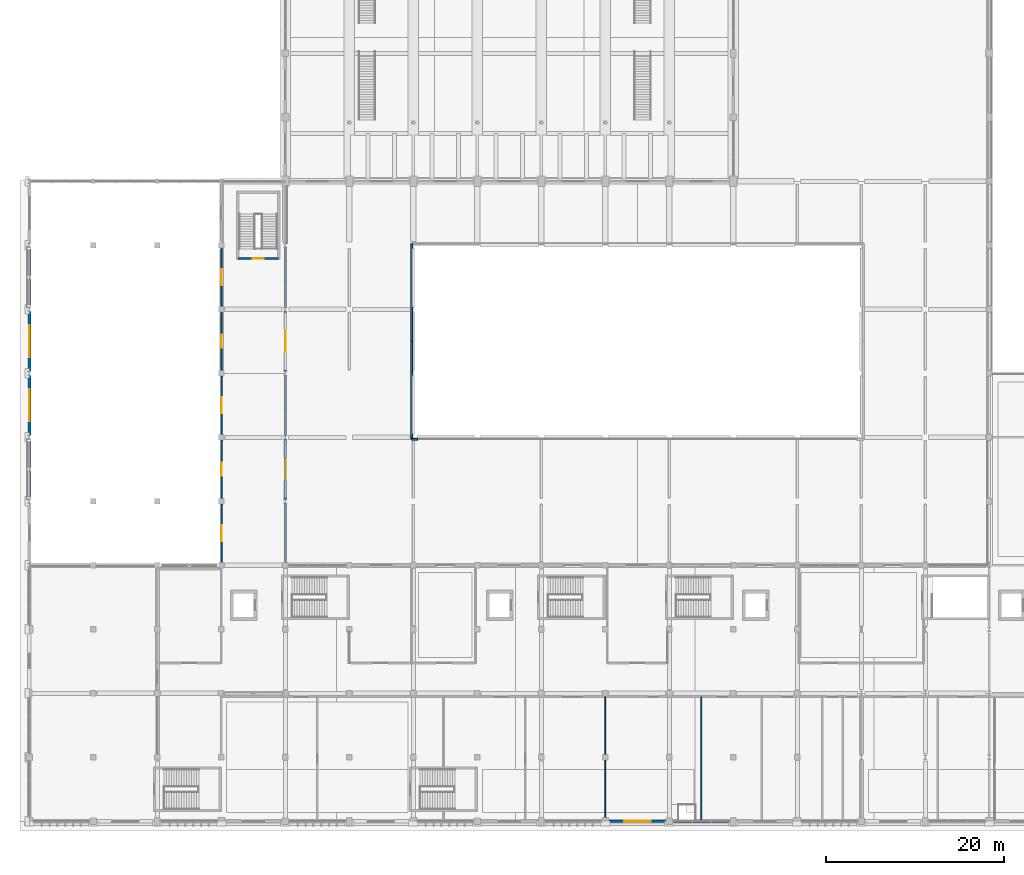
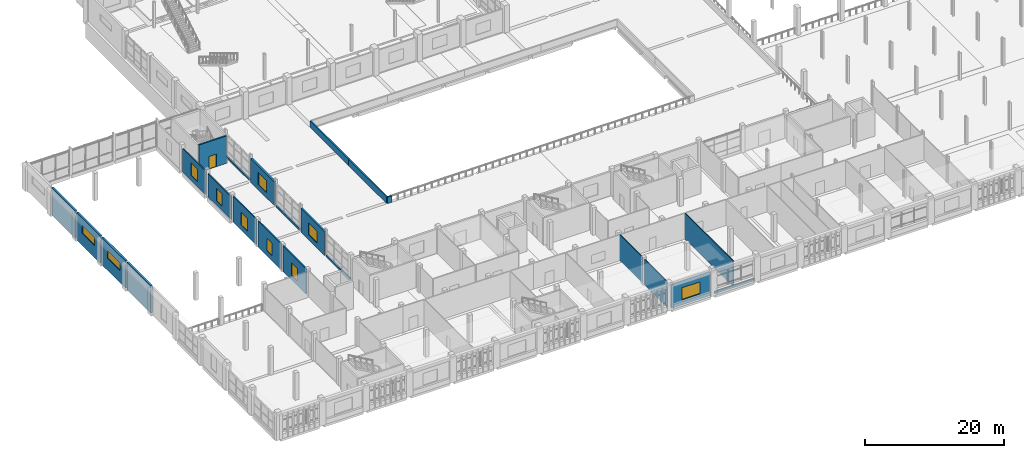
# One storey, part 58 of 82: 23 walls, 10 windows, 1 door, 11 openings.
"""IFC4 building model written with IfcOpenShell, lengths in metres."""

from ifc_helpers import new_model, si_unit, direction, frame, frame_2d, origin, place, context, subcontext, project, spatial, rectangle, extrude, material, layer, layer_set, type_object, element, fill, save


model = new_model("IFC4")

# Units and contexts
model_context = context("Model", 3, precision=1e-05, world=origin(), true_north=direction((0.0, 1.0)))
body_context = subcontext(model_context, "Body", "Model", "MODEL_VIEW")
ifc_project = project(units=[si_unit("LENGTHUNIT", "METRE"), si_unit("AREAUNIT", "SQUARE_METRE"), si_unit("VOLUMEUNIT", "CUBIC_METRE"), si_unit("PLANEANGLEUNIT", "RADIAN"), si_unit("MASSUNIT", "GRAM", prefix="KILO")], contexts=[model_context])

# Site, building, storey
site_placement = place(None, origin())
site = spatial("IfcSite", under=ifc_project, at=site_placement, CompositionType="ELEMENT")
building_placement = place(site_placement, origin())
building = spatial("IfcBuilding", under=site, at=building_placement, Name="Sardonyx Promenade Sports Hall", CompositionType="ELEMENT")
storey_placement = place(building_placement, frame((0.0, 0.0, 11.199951171875)))
storey = spatial("IfcBuildingStorey", under=building, at=storey_placement, Name="L02", CompositionType="ELEMENT", Elevation=11.199951171875)

# Wall
ifc_material_1 = material(Name="Concrete C40/50", Category="concrete")
ifc_layer_1 = layer(ifc_material_1, 0.320068359375)
ifc_layer_set_1 = layer_set([ifc_layer_1], Name="Wall_Ext_Court_320")
wall_type_1 = type_object("IfcWallType", Name="Wall_Ext_Court_320", PredefinedType="SOLIDWALL", material=ifc_layer_set_1)
wall_1_placement = place(storey_placement, frame((0.0, 36.205078125, 0.0), z_axis=(0.0, 0.0, 1.0), x_axis=(0.0, 1.0, 0.0)))
element("IfcWall", 1, at=wall_1_placement, inside=storey, type_object=wall_type_1, Name="Exterior wall EW01 L02 #153", PredefinedType="SOLIDWALL", context=body_context, shape_type="SweptSolid", body=[
    extrude(rectangle(XDim=6.7900390625, YDim=0.320068359375, at=frame_2d((3.39501953125, 0.0))), origin(), (0.0, 0.0, 1.0), 4.800048828125),
])

# Wall, opening, window
wall_2_placement = place(storey_placement, frame((0.0, 43.405029296875, 0.0), z_axis=(0.0, 0.0, 1.0), x_axis=(0.0, 1.0, 0.0)))
wall_2 = element("IfcWall", 2, at=wall_2_placement, inside=storey, type_object=wall_type_1, Name="Exterior wall EW01 L02 #154", PredefinedType="SOLIDWALL", context=body_context, shape_type="SweptSolid", body=[
    extrude(rectangle(XDim=6.7900390625, YDim=0.320068359375, at=frame_2d((3.39501953125, 0.0))), origin(), (0.0, 0.0, 1.0), 4.800048828125),
])
opening_1_placement = place(wall_2_placement, frame((1.594970703125, 0.0, 2.10009765625)))
opening_1 = element("IfcOpeningElement", 3, at=opening_1_placement, cuts=wall_2, Name="Opening W17", PredefinedType="OPENING", context=body_context, shape_type="SweptSolid", body=[
    extrude(rectangle(XDim=3.60009765625, YDim=1.35009765625, at=frame_2d((1.800048828125, 0.675048828125))), frame((0.0, 0.17, 0.0), z_axis=(0.0, -1.0, 0.0), x_axis=(1.0, 0.0, 0.0)), (0.0, 0.0, 1.0), 0.34),
])
ifc_material_2 = material(Name="Double-glazed solar low-E aluminium window", Category="aluminium")
window_type_1 = type_object("IfcWindowType", Name="Win_Clerestory_360x135", PartitioningType="DOUBLE_PANEL_VERTICAL", PredefinedType="WINDOW", material=ifc_material_2)
window_1_placement = place(opening_1_placement, origin())
window_1 = element("IfcWindow", 4, at=window_1_placement, inside=storey, type_object=window_type_1, Name="Facade window W17 L02 #66", OverallHeight=1.35009765625, OverallWidth=3.60009765625, PartitioningType="SINGLE_PANEL", PredefinedType="WINDOW", context=body_context, shape_type="SweptSolid", body=[
    extrude(rectangle(XDim=3.60009765625, YDim=1.35009765625, at=frame_2d((1.800048828125, 0.675048828125))), frame((0.0, 0.030029296875, 0.0), z_axis=(0.0, -1.0, 0.0), x_axis=(1.0, 0.0, 0.0)), (0.0, 0.0, 1.0), 0.06005859375),
])
fill(opening_1, window_1)

wall_3_placement = place(storey_placement, frame((0.0, 50.60498046875, 0.0), z_axis=(0.0, 0.0, 1.0), x_axis=(0.0, 1.0, 0.0)))
wall_3 = element("IfcWall", 5, at=wall_3_placement, inside=storey, type_object=wall_type_1, Name="Exterior wall EW01 L02 #155", PredefinedType="SOLIDWALL", context=body_context, shape_type="SweptSolid", body=[
    extrude(rectangle(XDim=6.7900390625, YDim=0.320068359375, at=frame_2d((3.39501953125, 0.0))), origin(), (0.0, 0.0, 1.0), 4.800048828125),
])
opening_2_placement = place(wall_3_placement, frame((1.594970703125, 0.0, 2.10009765625)))
opening_2 = element("IfcOpeningElement", 6, at=opening_2_placement, cuts=wall_3, Name="Opening W17", PredefinedType="OPENING", context=body_context, shape_type="SweptSolid", body=[
    extrude(rectangle(XDim=3.60009765625, YDim=1.35009765625, at=frame_2d((1.800048828125, 0.675048828125))), frame((0.0, 0.17, 0.0), z_axis=(0.0, -1.0, 0.0), x_axis=(1.0, 0.0, 0.0)), (0.0, 0.0, 1.0), 0.34),
])
window_2_placement = place(opening_2_placement, origin())
window_2 = element("IfcWindow", 7, at=window_2_placement, inside=storey, type_object=window_type_1, Name="Facade window W17 L02 #67", OverallHeight=1.35009765625, OverallWidth=3.60009765625, PartitioningType="SINGLE_PANEL", PredefinedType="WINDOW", context=body_context, shape_type="SweptSolid", body=[
    extrude(rectangle(XDim=3.60009765625, YDim=1.35009765625, at=frame_2d((1.800048828125, 0.675048828125))), frame((0.0, 0.030029296875, 0.0), z_axis=(0.0, -1.0, 0.0), x_axis=(1.0, 0.0, 0.0)), (0.0, 0.0, 1.0), 0.06005859375),
])
fill(opening_2, window_2)

# Walls
wall_4_placement = place(storey_placement, frame((0.0, 57.804931640625, 0.0), z_axis=(0.0, 0.0, 1.0), x_axis=(0.0, 1.0, 0.0)))
element("IfcWall", 8, at=wall_4_placement, inside=storey, type_object=wall_type_1, Name="Exterior wall EW01 L02 #156", PredefinedType="SOLIDWALL", context=body_context, shape_type="SweptSolid", body=[
    extrude(rectangle(XDim=6.7900390625, YDim=0.320068359375, at=frame_2d((3.39501953125, 0.0))), origin(), (0.0, 0.0, 1.0), 4.800048828125),
])
ifc_material_3 = material(Name="Masonry CMU 15 MPa", Category="masonry")
ifc_layer_2 = layer(ifc_material_3, 0.239990234375)
ifc_layer_set_2 = layer_set([ifc_layer_2], Name="Wall_Ext_Spandrel_240")
wall_type_2 = type_object("IfcWallType", Name="Wall_Ext_Spandrel_240", PredefinedType="SOLIDWALL", material=ifc_layer_set_2)
wall_5_placement = place(storey_placement, frame((78.9150390625, 0.0, 0.0), z_axis=(0.0, 0.0, 1.0), x_axis=(-1.0, 0.0, 0.0)))
element("IfcWall", 9, at=wall_5_placement, inside=storey, type_object=wall_type_2, Name="Curtain-wall sill spandrel L02 #66", PredefinedType="SOLIDWALL", context=body_context, shape_type="SweptSolid", body=[
    extrude(rectangle(XDim=6.580078125, YDim=0.239990234375, at=frame_2d((3.2900390625, 0.0))), origin(), (0.0, 0.0, 1.0), 0.35009765625),
])
for number, where, z_axis, x_axis, name in (
    (10, (28.800048828125, 64.594970703125, 0.0), (0.0, 0.0, 1.0), (0.0, -1.0, 0.0), "Curtain-wall sill spandrel L02 #228"),
    (11, (28.800048828125, 50.195068359375, 0.0), (0.0, 0.0, 1.0), (0.0, -1.0, 0.0), "Curtain-wall sill spandrel L02 #230"),
):
    element("IfcWall", number, at=place(storey_placement, frame(where, z_axis=z_axis, x_axis=x_axis)), inside=storey, type_object=wall_type_2, Name=name, PredefinedType="SOLIDWALL", context=body_context, shape_type="SweptSolid", body=[
        extrude(rectangle(XDim=6.7900390625, YDim=0.239990234375, at=frame_2d((3.39501953125, 0.0))), origin(), (0.0, 0.0, 1.0), 0.35009765625),
    ])
wall_6_placement = place(storey_placement, frame((28.800048828125, 35.794921875, 0.0), z_axis=(0.0, 0.0, 1.0), x_axis=(0.0, -1.0, 0.0)))
element("IfcWall", 12, at=wall_6_placement, inside=storey, type_object=wall_type_2, Name="Curtain-wall sill spandrel L02 #232", PredefinedType="SOLIDWALL", context=body_context, shape_type="SweptSolid", body=[
    extrude(rectangle(XDim=6.7099609375, YDim=0.239990234375, at=frame_2d((3.35498046875, 0.0))), origin(), (0.0, 0.0, 1.0), 0.35009765625),
])

# Wall, opening, window
ifc_material_4 = material(Name="Concrete C40/50", Category="concrete")
ifc_layer_3 = layer(ifc_material_4, 0.280029296875)
ifc_layer_set_3 = layer_set([ifc_layer_3], Name="Wall_Ext_Wing_280")
wall_type_3 = type_object("IfcWallType", Name="Wall_Ext_Wing_280", PredefinedType="SOLIDWALL", material=ifc_layer_set_3)
wall_7_placement = place(storey_placement, frame((71.6650390625, 0.0, 0.0), z_axis=(0.0, 0.0, 1.0), x_axis=(-1.0, 0.0, 0.0)))
wall_7 = element("IfcWall", 13, at=wall_7_placement, inside=storey, type_object=wall_type_3, Name="Exterior wall EW02 L02 #67", PredefinedType="SOLIDWALL", context=body_context, shape_type="SweptSolid", body=[
    extrude(rectangle(XDim=6.47998046875, YDim=0.280029296875, at=frame_2d((3.239990234375, 0.0))), origin(), (0.0, 0.0, 1.0), 4.18505859375),
])
opening_3_placement = place(wall_7_placement, frame((1.739990234375, 0.0, 0.89990234375)))
opening_3 = element("IfcOpeningElement", 14, at=opening_3_placement, cuts=wall_7, Name="Opening W21", PredefinedType="OPENING", context=body_context, shape_type="SweptSolid", body=[
    extrude(rectangle(XDim=3.0, YDim=2.10009765625, at=frame_2d((1.5, 1.050048828125))), frame((0.0, 0.15, 0.0), z_axis=(0.0, -1.0, 0.0), x_axis=(1.0, 0.0, 0.0)), (0.0, 0.0, 1.0), 0.3),
])
ifc_material_5 = material(Name="Double-glazed solar low-E aluminium window", Category="aluminium")
window_type_2 = type_object("IfcWindowType", Name="Win_Studio_300x210", PartitioningType="DOUBLE_PANEL_VERTICAL", PredefinedType="WINDOW", material=ifc_material_5)
window_3_placement = place(opening_3_placement, origin())
window_3 = element("IfcWindow", 15, at=window_3_placement, inside=storey, type_object=window_type_2, Name="Facade window W21 L02 #26", OverallHeight=2.10009765625, OverallWidth=3.0, PartitioningType="SINGLE_PANEL", PredefinedType="WINDOW", context=body_context, shape_type="SweptSolid", body=[
    extrude(rectangle(XDim=3.0, YDim=2.10009765625, at=frame_2d((1.5, 1.050048828125))), frame((0.0, 0.030029296875, 0.0), z_axis=(0.0, -1.0, 0.0), x_axis=(1.0, 0.0, 0.0)), (0.0, 0.0, 1.0), 0.06005859375),
])
fill(opening_3, window_3)

wall_8_placement = place(storey_placement, frame((28.800048828125, 57.39501953125, 0.0), z_axis=(0.0, 0.0, 1.0), x_axis=(0.0, -1.0, 0.0)))
wall_8 = element("IfcWall", 16, at=wall_8_placement, inside=storey, type_object=wall_type_3, Name="Exterior wall EW02 L02 #229", PredefinedType="SOLIDWALL", context=body_context, shape_type="SweptSolid", body=[
    extrude(rectangle(XDim=6.7900390625, YDim=0.280029296875, at=frame_2d((3.39501953125, 0.0))), origin(), (0.0, 0.0, 1.0), 4.18505859375),
])
opening_4_placement = place(wall_8_placement, frame((2.195068359375, 0.0, 0.89990234375)))
opening_4 = element("IfcOpeningElement", 17, at=opening_4_placement, cuts=wall_8, Name="Opening W16", PredefinedType="OPENING", context=body_context, shape_type="SweptSolid", body=[
    extrude(rectangle(XDim=2.39990234375, YDim=2.10009765625, at=frame_2d((1.199951171875, 1.050048828125))), frame((0.0, 0.15, 0.0), z_axis=(0.0, -1.0, 0.0), x_axis=(1.0, 0.0, 0.0)), (0.0, 0.0, 1.0), 0.3),
])
ifc_material_6 = material(Name="Double-glazed solar low-E aluminium window", Category="aluminium")
window_type_3 = type_object("IfcWindowType", Name="Win_Studio_240x210", PartitioningType="DOUBLE_PANEL_VERTICAL", PredefinedType="WINDOW", material=ifc_material_6)
window_4_placement = place(opening_4_placement, origin())
window_4 = element("IfcWindow", 18, at=window_4_placement, inside=storey, type_object=window_type_3, Name="Facade window W16 L02 #92", OverallHeight=2.10009765625, OverallWidth=2.39990234375, PartitioningType="SINGLE_PANEL", PredefinedType="WINDOW", context=body_context, shape_type="SweptSolid", body=[
    extrude(rectangle(XDim=2.39990234375, YDim=2.10009765625, at=frame_2d((1.199951171875, 1.050048828125))), frame((0.0, 0.030029296875, 0.0), z_axis=(0.0, -1.0, 0.0), x_axis=(1.0, 0.0, 0.0)), (0.0, 0.0, 1.0), 0.06005859375),
])
fill(opening_4, window_4)

wall_9_placement = place(storey_placement, frame((28.800048828125, 42.9951171875, 0.0), z_axis=(0.0, 0.0, 1.0), x_axis=(0.0, -1.0, 0.0)))
wall_9 = element("IfcWall", 19, at=wall_9_placement, inside=storey, type_object=wall_type_3, Name="Exterior wall EW02 L02 #231", PredefinedType="SOLIDWALL", context=body_context, shape_type="SweptSolid", body=[
    extrude(rectangle(XDim=6.7900390625, YDim=0.280029296875, at=frame_2d((3.39501953125, 0.0))), origin(), (0.0, 0.0, 1.0), 4.18505859375),
])
opening_5_placement = place(wall_9_placement, frame((2.195068359375, 0.0, 0.89990234375)))
opening_5 = element("IfcOpeningElement", 20, at=opening_5_placement, cuts=wall_9, Name="Opening W16", PredefinedType="OPENING", context=body_context, shape_type="SweptSolid", body=[
    extrude(rectangle(XDim=2.39990234375, YDim=2.10009765625, at=frame_2d((1.199951171875, 1.050048828125))), frame((0.0, 0.15, 0.0), z_axis=(0.0, -1.0, 0.0), x_axis=(1.0, 0.0, 0.0)), (0.0, 0.0, 1.0), 0.3),
])
window_5_placement = place(opening_5_placement, origin())
window_5 = element("IfcWindow", 21, at=window_5_placement, inside=storey, type_object=window_type_3, Name="Facade window W16 L02 #93", OverallHeight=2.10009765625, OverallWidth=2.39990234375, PartitioningType="SINGLE_PANEL", PredefinedType="WINDOW", context=body_context, shape_type="SweptSolid", body=[
    extrude(rectangle(XDim=2.39990234375, YDim=2.10009765625, at=frame_2d((1.199951171875, 1.050048828125))), frame((0.0, 0.030029296875, 0.0), z_axis=(0.0, -1.0, 0.0), x_axis=(1.0, 0.0, 0.0)), (0.0, 0.0, 1.0), 0.06005859375),
])
fill(opening_5, window_5)

# Walls
ifc_material_7 = material(Name="Concrete C40/50", Category="concrete")
ifc_layer_4 = layer(ifc_material_7, 0.219970703125)
ifc_layer_set_4 = layer_set([ifc_layer_4], Name="Wall_Parapet_Roof_220")
wall_type_4 = type_object("IfcWallType", Name="Wall_Parapet_Roof_220", PredefinedType="PARAPET", material=ifc_layer_set_4)
wall_10_placement = place(storey_placement, frame((43.699951171875, 43.0, 0.0), z_axis=(0.0, 0.0, 1.0), x_axis=(-1.0, 0.0, 0.0)))
element("IfcWall", 22, at=wall_10_placement, inside=storey, type_object=wall_type_4, Name="Roof parapet PP02 L02 #8", PredefinedType="PARAPET", context=body_context, shape_type="SweptSolid", body=[
    extrude(rectangle(XDim=0.699951171875, YDim=0.219970703125, at=frame_2d((0.35009765625, 0.0))), origin(), (0.0, 0.0, 1.0), 1.150146484375),
])
for number, where, z_axis, x_axis, name in (
    (23, (43.0, 43.0, 0.0), (0.0, 0.0, 1.0), (0.0, 1.0, 0.0), "Roof parapet PP02 L02 #9"),
    (24, (43.0, 54.0, 0.0), (0.0, 0.0, 1.0), (0.0, 1.0, 0.0), "Roof parapet PP02 L02 #10"),
):
    element("IfcWall", number, at=place(storey_placement, frame(where, z_axis=z_axis, x_axis=x_axis)), inside=storey, type_object=wall_type_4, Name=name, PredefinedType="PARAPET", context=body_context, shape_type="SweptSolid", body=[
        extrude(rectangle(XDim=11.0, YDim=0.219970703125, at=frame_2d((5.5, 0.0))), origin(), (0.0, 0.0, 1.0), 1.150146484375),
    ])

# Wall, opening, window
ifc_material_8 = material(Name="Twin-stud acoustic gypsum partition", Category="gypsum")
ifc_layer_5 = layer(ifc_material_8, 0.169921875)
ifc_layer_set_5 = layer_set([ifc_layer_5], Name="Wall_Part_Acoust_170")
wall_type_5 = type_object("IfcWallType", Name="Wall_Part_Acoust_170", PredefinedType="PARTITIONING", material=ifc_layer_set_5)
wall_11_placement = place(storey_placement, frame((21.60009765625, 29.10009765625, 0.0), z_axis=(0.0, 0.0, 1.0), x_axis=(0.0, 1.0, 0.0)))
wall_11 = element("IfcWall", 25, at=wall_11_placement, inside=storey, type_object=wall_type_5, Name="Interior partition PW06 L02 #494", PredefinedType="PARTITIONING", context=body_context, shape_type="SweptSolid", body=[
    extrude(rectangle(XDim=6.599853515625, YDim=0.169921875, at=frame_2d((3.2998046875, 0.0))), origin(), (0.0, 0.0, 1.0), 4.52001953125),
])
opening_6_placement = place(wall_11_placement, frame((2.39990234375, 0.0, 0.85009765625)))
opening_6 = element("IfcOpeningElement", 26, at=opening_6_placement, cuts=wall_11, Name="Opening IW05", PredefinedType="OPENING", context=body_context, shape_type="SweptSolid", body=[
    extrude(rectangle(XDim=1.800048828125, YDim=2.199951171875, at=frame_2d((0.89990234375, 1.10009765625))), frame((0.0, 0.095, 0.0), z_axis=(0.0, -1.0, 0.0), x_axis=(1.0, 0.0, 0.0)), (0.0, 0.0, 1.0), 0.19),
])
ifc_material_9 = material(Name="Acoustic laminated sports viewing glazing EI 60", Category="glass")
window_type_4 = type_object("IfcWindowType", Name="IWin_Climb_180x220", PartitioningType="DOUBLE_PANEL_VERTICAL", PredefinedType="WINDOW", material=ifc_material_9)
window_6_placement = place(opening_6_placement, origin())
window_6 = element("IfcWindow", 27, at=window_6_placement, inside=storey, type_object=window_type_4, Name="Internal viewing window IW05 L02 #76", OverallHeight=2.199951171875, OverallWidth=1.800048828125, PartitioningType="SINGLE_PANEL", PredefinedType="WINDOW", context=body_context, shape_type="SweptSolid", body=[
    extrude(rectangle(XDim=1.800048828125, YDim=2.199951171875, at=frame_2d((0.89990234375, 1.10009765625))), frame((0.0, 0.030029296875, 0.0), z_axis=(0.0, -1.0, 0.0), x_axis=(1.0, 0.0, 0.0)), (0.0, 0.0, 1.0), 0.06005859375),
])
fill(opening_6, window_6)

wall_12_placement = place(storey_placement, frame((21.60009765625, 36.300048828125, 0.0), z_axis=(0.0, 0.0, 1.0), x_axis=(0.0, 1.0, 0.0)))
wall_12 = element("IfcWall", 28, at=wall_12_placement, inside=storey, type_object=wall_type_5, Name="Interior partition PW06 L02 #495", PredefinedType="PARTITIONING", context=body_context, shape_type="SweptSolid", body=[
    extrude(rectangle(XDim=6.599853515625, YDim=0.169921875, at=frame_2d((3.2998046875, 0.0))), origin(), (0.0, 0.0, 1.0), 4.52001953125),
])
opening_7_placement = place(wall_12_placement, frame((2.550048828125, 0.0, 0.85009765625)))
opening_7 = element("IfcOpeningElement", 29, at=opening_7_placement, cuts=wall_12, Name="Opening IW08", PredefinedType="OPENING", context=body_context, shape_type="SweptSolid", body=[
    extrude(rectangle(XDim=1.5, YDim=2.199951171875, at=frame_2d((0.75, 1.10009765625))), frame((0.0, 0.095, 0.0), z_axis=(0.0, -1.0, 0.0), x_axis=(1.0, 0.0, 0.0)), (0.0, 0.0, 1.0), 0.19),
])
ifc_material_10 = material(Name="Acoustic laminated sports viewing glazing EI 60", Category="glass")
window_type_5 = type_object("IfcWindowType", Name="IWin_Climb_150x220", PartitioningType="DOUBLE_PANEL_VERTICAL", PredefinedType="WINDOW", material=ifc_material_10)
window_7_placement = place(opening_7_placement, origin())
window_7 = element("IfcWindow", 30, at=window_7_placement, inside=storey, type_object=window_type_5, Name="Internal viewing window IW08 L02 #77", OverallHeight=2.199951171875, OverallWidth=1.5, PartitioningType="SINGLE_PANEL", PredefinedType="WINDOW", context=body_context, shape_type="SweptSolid", body=[
    extrude(rectangle(XDim=1.5, YDim=2.199951171875, at=frame_2d((0.75, 1.10009765625))), frame((0.0, 0.030029296875, 0.0), z_axis=(0.0, -1.0, 0.0), x_axis=(1.0, 0.0, 0.0)), (0.0, 0.0, 1.0), 0.06005859375),
])
fill(opening_7, window_7)

wall_13_placement = place(storey_placement, frame((21.60009765625, 43.5, 0.0), z_axis=(0.0, 0.0, 1.0), x_axis=(0.0, 1.0, 0.0)))
wall_13 = element("IfcWall", 31, at=wall_13_placement, inside=storey, type_object=wall_type_5, Name="Interior partition PW06 L02 #496", PredefinedType="PARTITIONING", context=body_context, shape_type="SweptSolid", body=[
    extrude(rectangle(XDim=6.60009765625, YDim=0.169921875, at=frame_2d((3.300048828125, 0.0))), origin(), (0.0, 0.0, 1.0), 4.52001953125),
])
opening_8_placement = place(wall_13_placement, frame((2.39990234375, 0.0, 0.85009765625)))
opening_8 = element("IfcOpeningElement", 32, at=opening_8_placement, cuts=wall_13, Name="Opening IW05", PredefinedType="OPENING", context=body_context, shape_type="SweptSolid", body=[
    extrude(rectangle(XDim=1.800048828125, YDim=2.199951171875, at=frame_2d((0.89990234375, 1.10009765625))), frame((0.0, 0.095, 0.0), z_axis=(0.0, -1.0, 0.0), x_axis=(1.0, 0.0, 0.0)), (0.0, 0.0, 1.0), 0.19),
])
window_8_placement = place(opening_8_placement, origin())
window_8 = element("IfcWindow", 33, at=window_8_placement, inside=storey, type_object=window_type_4, Name="Internal viewing window IW05 L02 #78", OverallHeight=2.199951171875, OverallWidth=1.800048828125, PartitioningType="SINGLE_PANEL", PredefinedType="WINDOW", context=body_context, shape_type="SweptSolid", body=[
    extrude(rectangle(XDim=1.800048828125, YDim=2.199951171875, at=frame_2d((0.89990234375, 1.10009765625))), frame((0.0, 0.030029296875, 0.0), z_axis=(0.0, -1.0, 0.0), x_axis=(1.0, 0.0, 0.0)), (0.0, 0.0, 1.0), 0.06005859375),
])
fill(opening_8, window_8)

wall_14_placement = place(storey_placement, frame((21.60009765625, 50.699951171875, 0.0), z_axis=(0.0, 0.0, 1.0), x_axis=(0.0, 1.0, 0.0)))
wall_14 = element("IfcWall", 34, at=wall_14_placement, inside=storey, type_object=wall_type_5, Name="Interior partition PW06 L02 #497", PredefinedType="PARTITIONING", context=body_context, shape_type="SweptSolid", body=[
    extrude(rectangle(XDim=6.60009765625, YDim=0.169921875, at=frame_2d((3.300048828125, 0.0))), origin(), (0.0, 0.0, 1.0), 4.080078125),
])
opening_9_placement = place(wall_14_placement, frame((2.550048828125, 0.0, 0.85009765625)))
opening_9 = element("IfcOpeningElement", 35, at=opening_9_placement, cuts=wall_14, Name="Opening IW08", PredefinedType="OPENING", context=body_context, shape_type="SweptSolid", body=[
    extrude(rectangle(XDim=1.5, YDim=2.199951171875, at=frame_2d((0.75, 1.10009765625))), frame((0.0, 0.095, 0.0), z_axis=(0.0, -1.0, 0.0), x_axis=(1.0, 0.0, 0.0)), (0.0, 0.0, 1.0), 0.19),
])
window_9_placement = place(opening_9_placement, origin())
window_9 = element("IfcWindow", 36, at=window_9_placement, inside=storey, type_object=window_type_5, Name="Internal viewing window IW08 L02 #79", OverallHeight=2.199951171875, OverallWidth=1.5, PartitioningType="SINGLE_PANEL", PredefinedType="WINDOW", context=body_context, shape_type="SweptSolid", body=[
    extrude(rectangle(XDim=1.5, YDim=2.199951171875, at=frame_2d((0.75, 1.10009765625))), frame((0.0, 0.030029296875, 0.0), z_axis=(0.0, -1.0, 0.0), x_axis=(1.0, 0.0, 0.0)), (0.0, 0.0, 1.0), 0.06005859375),
])
fill(opening_9, window_9)

wall_15_placement = place(storey_placement, frame((21.60009765625, 57.89990234375, 0.0), z_axis=(0.0, 0.0, 1.0), x_axis=(0.0, 1.0, 0.0)))
wall_15 = element("IfcWall", 37, at=wall_15_placement, inside=storey, type_object=wall_type_5, Name="Interior partition PW06 L02 #498", PredefinedType="PARTITIONING", context=body_context, shape_type="SweptSolid", body=[
    extrude(rectangle(XDim=6.60009765625, YDim=0.169921875, at=frame_2d((3.300048828125, 0.0))), origin(), (0.0, 0.0, 1.0), 4.080078125),
])
opening_10_placement = place(wall_15_placement, frame((2.39990234375, 0.0, 0.85009765625)))
opening_10 = element("IfcOpeningElement", 38, at=opening_10_placement, cuts=wall_15, Name="Opening IW05", PredefinedType="OPENING", context=body_context, shape_type="SweptSolid", body=[
    extrude(rectangle(XDim=1.800048828125, YDim=2.199951171875, at=frame_2d((0.89990234375, 1.10009765625))), frame((0.0, 0.095, 0.0), z_axis=(0.0, -1.0, 0.0), x_axis=(1.0, 0.0, 0.0)), (0.0, 0.0, 1.0), 0.19),
])
window_10_placement = place(opening_10_placement, origin())
window_10 = element("IfcWindow", 39, at=window_10_placement, inside=storey, type_object=window_type_4, Name="Internal viewing window IW05 L02 #80", OverallHeight=2.199951171875, OverallWidth=1.800048828125, PartitioningType="SINGLE_PANEL", PredefinedType="WINDOW", context=body_context, shape_type="SweptSolid", body=[
    extrude(rectangle(XDim=1.800048828125, YDim=2.199951171875, at=frame_2d((0.89990234375, 1.10009765625))), frame((0.0, 0.030029296875, 0.0), z_axis=(0.0, -1.0, 0.0), x_axis=(1.0, 0.0, 0.0)), (0.0, 0.0, 1.0), 0.06005859375),
])
fill(opening_10, window_10)

# Walls
ifc_material_11 = material(Name="Hygienic clinical stud partition", Category="gypsum")
ifc_layer_6 = layer(ifc_material_11, 0.1201171875)
ifc_layer_set_6 = layer_set([ifc_layer_6], Name="Wall_Part_Clinic_120")
wall_type_6 = type_object("IfcWallType", Name="Wall_Part_Clinic_120", PredefinedType="PARTITIONING", material=ifc_layer_set_6)
for number, where, z_axis, x_axis, name in (
    (40, (64.800048828125, 0.39990234375, 0.0), (0.0, 0.0, 1.0), (0.0, 1.0, 0.0), "Interior partition PW02 L02 #241"),
    (41, (64.800048828125, 7.5, 0.0), (0.0, 0.0, 1.0), (0.0, 1.0, 0.0), "Interior partition PW02 L02 #242"),
):
    element("IfcWall", number, at=place(storey_placement, frame(where, z_axis=z_axis, x_axis=x_axis)), inside=storey, type_object=wall_type_6, Name=name, PredefinedType="PARTITIONING", context=body_context, shape_type="SweptSolid", body=[
        extrude(rectangle(XDim=6.5, YDim=0.1201171875, at=frame_2d((3.25, 0.0))), origin(), (0.0, 0.0, 1.0), 4.510009765625),
    ])
ifc_material_12 = material(Name="Moisture-resistant masonry partition", Category="masonry")
ifc_layer_7 = layer(ifc_material_12, 0.139892578125)
ifc_layer_set_7 = layer_set([ifc_layer_7], Name="Wall_Part_Wet_140")
wall_type_7 = type_object("IfcWallType", Name="Wall_Part_Wet_140", PredefinedType="PARTITIONING", material=ifc_layer_set_7)
wall_16_placement = place(storey_placement, frame((75.60009765625, 0.1298828125, 0.0), z_axis=(0.0, 0.0, 1.0), x_axis=(0.0, 1.0, 0.0)))
element("IfcWall", 42, at=wall_16_placement, inside=storey, type_object=wall_type_7, Name="Interior partition PW08 L02 #243", PredefinedType="PARTITIONING", context=body_context, shape_type="SweptSolid", body=[
    extrude(rectangle(XDim=13.8701171875, YDim=0.139892578125, at=frame_2d((6.93505859375, 0.0))), origin(), (0.0, 0.0, 1.0), 4.510009765625),
])

# Wall, opening, door
ifc_material_13 = material(Name="Concrete C40/50", Category="concrete")
ifc_layer_8 = layer(ifc_material_13, 0.25)
ifc_layer_set_8 = layer_set([ifc_layer_8], Name="Wall_Stair_Shear_250")
wall_type_8 = type_object("IfcWallType", Name="Wall_Stair_Shear_250", PredefinedType="SHEAR", material=ifc_layer_set_8)
wall_17_placement = place(storey_placement, frame((28.050048828125, 63.324951171875, 0.0), z_axis=(0.0, 0.0, 1.0), x_axis=(-1.0, 0.0, 0.0)))
wall_17 = element("IfcWall", 43, at=wall_17_placement, inside=storey, type_object=wall_type_8, Name="Stair shaft wall ST7 L02 entry", PredefinedType="SHEAR", context=body_context, shape_type="SweptSolid", body=[
    extrude(rectangle(XDim=4.60009765625, YDim=0.25, at=frame_2d((2.300048828125, 0.0))), origin(), (0.0, 0.0, 1.0), 4.800048828125),
])
opening_11_placement = place(wall_17_placement, frame((1.675048828125, 0.0, 0.0)))
opening_11 = element("IfcOpeningElement", 44, at=opening_11_placement, cuts=wall_17, Name="Opening ID13", PredefinedType="OPENING", context=body_context, shape_type="SweptSolid", body=[
    extrude(rectangle(XDim=1.25, YDim=2.199951171875, at=frame_2d((0.625, 1.10009765625))), frame((0.0, 0.135, 0.0), z_axis=(0.0, -1.0, 0.0), x_axis=(1.0, 0.0, 0.0)), (0.0, 0.0, 1.0), 0.27),
])
ifc_material_14 = material(Name="Solid-core hardwood fire door FD60S", Category="wood")
door_type = type_object("IfcDoorType", Name="Door_Stair_FD60_125x220", OperationType="NOTDEFINED", PredefinedType="DOOR", material=ifc_material_14)
door_placement = place(opening_11_placement, origin())
door = element("IfcDoor", 45, at=door_placement, inside=storey, type_object=door_type, Name="Protected stair door SD34 (ST7 L02)", OperationType="SINGLE_SWING_RIGHT", OverallHeight=2.199951171875, OverallWidth=1.25, PredefinedType="DOOR", context=body_context, shape_type="SweptSolid", body=[
    extrude(rectangle(XDim=1.25, YDim=2.199951171875, at=frame_2d((0.625, 1.10009765625))), frame((0.0, 0.02490234375, 0.0), z_axis=(0.0, -1.0, 0.0), x_axis=(1.0, 0.0, 0.0)), (0.0, 0.0, 1.0), 0.050048828125),
])
fill(opening_11, door)

save(model, "model.ifc")
